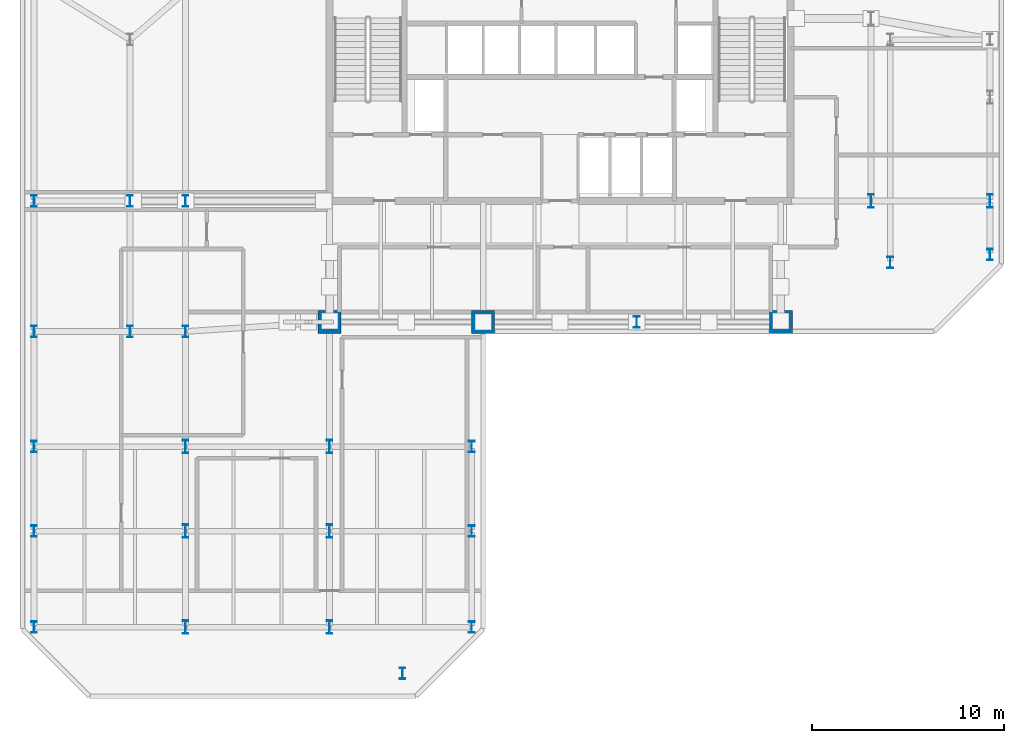
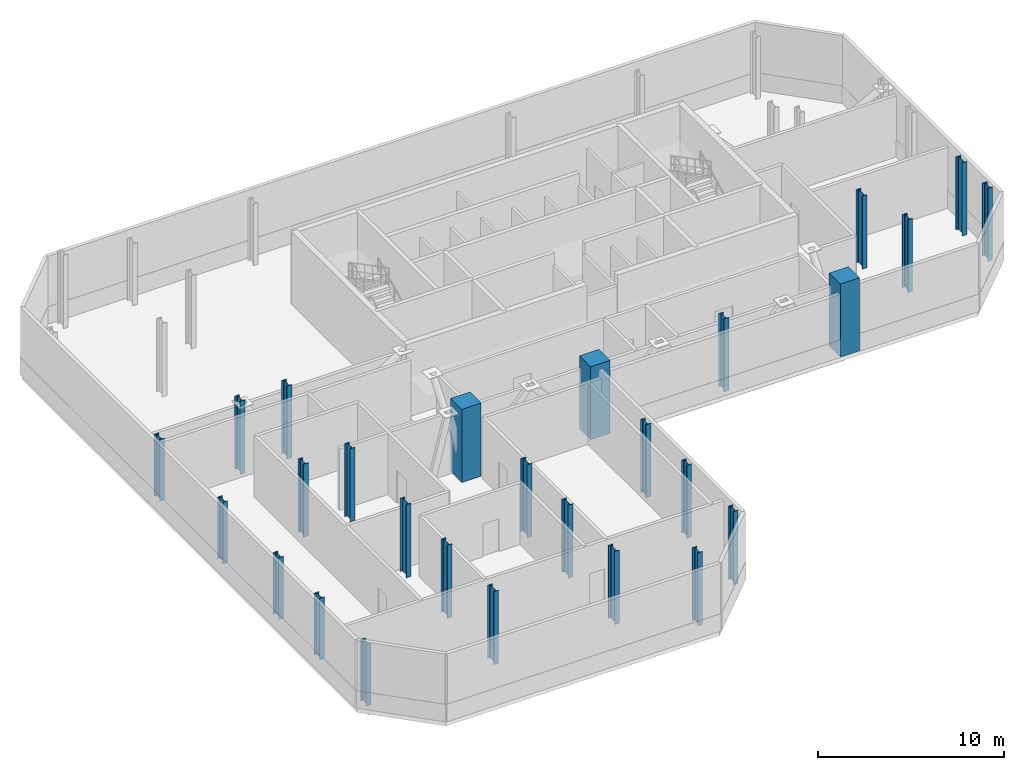
# One storey, part 1 of 9: 27 columns.
"""IFC4 building model written with IfcOpenShell, lengths in metres."""

from ifc_helpers import new_model, si_unit, direction, frame, origin, origin_2d, place, context, subcontext, project, spatial, rectangle, i_section, extrude, material, material_profile, profile_set, type_object, element, save


model = new_model("IFC4")

# Units and contexts
model_context = context("Model", 3, precision=1e-05, world=origin(), true_north=direction((0.0, 1.0)))
body_context = subcontext(model_context, "Body", "Model", "MODEL_VIEW")
ifc_project = project(units=[si_unit("LENGTHUNIT", "METRE"), si_unit("AREAUNIT", "SQUARE_METRE"), si_unit("VOLUMEUNIT", "CUBIC_METRE"), si_unit("PLANEANGLEUNIT", "RADIAN"), si_unit("MASSUNIT", "GRAM", prefix="KILO")], contexts=[model_context])

# Site, building, storey
site_placement = place(None, origin())
site = spatial("IfcSite", under=ifc_project, at=site_placement, CompositionType="ELEMENT")
building_placement = place(site_placement, origin())
building = spatial("IfcBuilding", under=site, at=building_placement, Name="Catumbela Crestline Tower", CompositionType="ELEMENT")
storey_placement = place(building_placement, frame((0.0, 0.0, 144.0)))
storey = spatial("IfcBuildingStorey", under=building, at=storey_placement, Name="L37", CompositionType="ELEMENT", Elevation=144.0)

# Columns
ifc_material_1 = material(Name="Concrete C50/60", Category="concrete")
ifc_material_profile_1 = material_profile(ifc_material_1, rectangle(XDim=1.2, YDim=1.2, at=origin_2d()), Name="RC 1200x1200")
ifc_profile_set_1 = profile_set([ifc_material_profile_1], Name="Concrete C50/60")
column_type_1 = type_object("IfcColumnType", Name="C-RC1200-C50", PredefinedType="COLUMN", material=ifc_profile_set_1)
for number, where, z_axis, x_axis, name in (
    (1, (16.0, 24.5, 0.0), (0.0, 0.0, 1.0), (1.0, 0.0, 0.0), "L37 Column C-16-24 (RC 1200x1200)"),
    (2, (24.0, 24.5, 0.0), (0.0, 0.0, 1.0), (1.0, 0.0, 0.0), "L37 Column C-24-24 (RC 1200x1200)"),
    (3, (39.5, 24.5, 0.0), (0.0, 0.0, 1.0), (1.0, 0.0, 0.0), "L37 Column C-40-24 (RC 1200x1200)"),
):
    element("IfcColumn", number, at=place(storey_placement, frame(where, z_axis=z_axis, x_axis=x_axis)), inside=storey, type_object=column_type_1, Name=name, PredefinedType="COLUMN", context=body_context, shape_type="SweptSolid", body=[
        extrude(rectangle(XDim=1.2, YDim=1.2, at=origin_2d()), origin(), (0.0, 0.0, 1.0), 4.8),
    ])
ifc_material_2 = material(Name="Structural steel S460M", Category="steel")
ifc_material_profile_2 = material_profile(ifc_material_2, i_section(OverallWidth=0.3, OverallDepth=0.6, WebThickness=0.0155, FlangeThickness=0.03, FilletRadius=0.027, at=origin_2d()), Name="HEB 600")
ifc_profile_set_2 = profile_set([ifc_material_profile_2], Name="Structural steel S460M")
column_type_2 = type_object("IfcColumnType", Name="C-ST-HEB600", PredefinedType="COLUMN", material=ifc_profile_set_2)
for number, where, z_axis, x_axis, name in (
    (4, (8.5, 24.0, 0.0), (0.0, 0.0, 1.0), (1.0, 0.0, 0.0), "L37 Column C-08-24 (HEB 600)"),
    (5, (32.0, 24.5, 0.0), (0.0, 0.0, 1.0), (1.0, 0.0, 0.0), "L37 Column C-32-24 (HEB 600)"),
    (6, (5.6, 24.0, 0.0), (0.0, 0.0, 1.0), (1.0, 0.0, 0.0), "L37 Column C-05-24 (HEB 600)"),
    (7, (5.6, 30.8, 0.0), (0.0, 0.0, 1.0), (1.0, 0.0, 0.0), "L37 Column C-05-31 (HEB 600)"),
    (8, (8.5, 30.8, 0.0), (0.0, 0.0, 1.0), (1.0, 0.0, 0.0), "L37 Column C-08-31 (HEB 600)"),
    (9, (45.2, 27.6, 0.0), (0.0, 0.0, 1.0), (1.0, 0.0, 0.0), "L37 Column C-46-24 (HEB 600)"),
):
    element("IfcColumn", number, at=place(storey_placement, frame(where, z_axis=z_axis, x_axis=x_axis)), inside=storey, type_object=column_type_2, Name=name, PredefinedType="COLUMN", context=body_context, shape_type="SweptSolid", body=[
        extrude(i_section(OverallWidth=0.3, OverallDepth=0.6, WebThickness=0.0155, FlangeThickness=0.03, FilletRadius=0.027, at=origin_2d()), origin(), (0.0, 0.0, 1.0), 4.8),
    ])
for number, where, z_axis, x_axis, name in (
    (10, (0.6, 24.0, 0.0), (0.0, 0.0, 1.0), (1.0, 0.0, 0.0), "L37 Column C-00-24 (HEB 600)"),
    (11, (0.6, 30.8, 0.0), (0.0, 0.0, 1.0), (1.0, 0.0, 0.0), "L37 Column C-00-31 (HEB 600)"),
):
    element("IfcColumn", number, at=place(storey_placement, frame(where, z_axis=z_axis, x_axis=x_axis)), inside=storey, type_object=column_type_2, Name=name, PredefinedType="COLUMN", context=body_context, shape_type="SweptSolid", body=[
        extrude(i_section(OverallWidth=0.3, OverallDepth=0.6, WebThickness=0.0155, FlangeThickness=0.03, FilletRadius=0.027, at=origin_2d()), origin(), (0.0, 0.0, 1.0), 4.05),
    ])
column_placement = place(storey_placement, frame((50.4, 28.0, 0.0), z_axis=(0.0, 0.0, 1.0), x_axis=(1.0, 0.0, 0.0)))
element("IfcColumn", 12, at=column_placement, inside=storey, type_object=column_type_2, Name="L37 Column C-51-24 (HEB 600)", PredefinedType="COLUMN", context=body_context, shape_type="SweptSolid", body=[
    extrude(i_section(OverallWidth=0.3, OverallDepth=0.6, WebThickness=0.0155, FlangeThickness=0.03, FilletRadius=0.027, at=origin_2d()), origin(), (0.0, 0.0, 1.0), 4.8),
])
for number, where, z_axis, x_axis, name in (
    (13, (0.6, 8.6, 0.0), (0.0, 0.0, 1.0), (1.0, 0.0, 0.0), "L37 Column C-00-05 (HEB 600)"),
    (14, (0.6, 13.6, 0.0), (0.0, 0.0, 1.0), (1.0, 0.0, 0.0), "L37 Column C-00-10 (HEB 600)"),
    (15, (0.6, 18.0, 0.0), (0.0, 0.0, 1.0), (1.0, 0.0, 0.0), "L37 Column C-00-16 (HEB 600)"),
):
    element("IfcColumn", number, at=place(storey_placement, frame(where, z_axis=z_axis, x_axis=x_axis)), inside=storey, type_object=column_type_2, Name=name, PredefinedType="COLUMN", context=body_context, shape_type="SweptSolid", body=[
        extrude(i_section(OverallWidth=0.3, OverallDepth=0.6, WebThickness=0.0155, FlangeThickness=0.03, FilletRadius=0.027, at=origin_2d()), origin(), (0.0, 0.0, 1.0), 4.05),
    ])
for number, where, z_axis, x_axis, name in (
    (16, (19.8, 6.2, 0.0), (0.0, 0.0, 1.0), (1.0, 0.0, 0.0), "L37 Column C-24-05 (HEB 600)"),
    (17, (23.4, 8.6, 0.0), (0.0, 0.0, 1.0), (1.0, 0.0, 0.0), "L37 Column C-23-08 (HEB 600)"),
    (18, (23.4, 13.6, 0.0), (0.0, 0.0, 1.0), (1.0, 0.0, 0.0), "L37 Column C-24-10 (HEB 600)"),
    (19, (23.4, 18.0, 0.0), (0.0, 0.0, 1.0), (1.0, 0.0, 0.0), "L37 Column C-24-16 (HEB 600)"),
):
    element("IfcColumn", number, at=place(storey_placement, frame(where, z_axis=z_axis, x_axis=x_axis)), inside=storey, type_object=column_type_2, Name=name, PredefinedType="COLUMN", context=body_context, shape_type="SweptSolid", body=[
        extrude(i_section(OverallWidth=0.3, OverallDepth=0.6, WebThickness=0.0155, FlangeThickness=0.03, FilletRadius=0.027, at=origin_2d()), origin(), (0.0, 0.0, 1.0), 4.8),
    ])
ifc_material_profile_3 = material_profile(ifc_material_2, i_section(OverallWidth=0.3, OverallDepth=0.7, WebThickness=0.017, FlangeThickness=0.032, FilletRadius=0.027, at=origin_2d()), Name="HEB 700")
ifc_profile_set_3 = profile_set([ifc_material_profile_3], Name="Structural steel S460M")
column_type_3 = type_object("IfcColumnType", Name="C-ST-HEB700", PredefinedType="COLUMN", material=ifc_profile_set_3)
for number, where, z_axis, x_axis, name in (
    (20, (8.5, 8.6, 0.0), (0.0, 0.0, 1.0), (1.0, 0.0, 0.0), "L37 Column CT-05-05 (HEB 700)"),
    (21, (16.0, 8.6, 0.0), (0.0, 0.0, 1.0), (1.0, 0.0, 0.0), "L37 Column CT-14-05 (HEB 700)"),
    (22, (8.5, 13.6, 0.0), (0.0, 0.0, 1.0), (1.0, 0.0, 0.0), "L37 Column CT-05-10 (HEB 700)"),
    (23, (16.0, 13.6, 0.0), (0.0, 0.0, 1.0), (1.0, 0.0, 0.0), "L37 Column CT-14-10 (HEB 700)"),
    (24, (8.5, 18.0, 0.0), (0.0, 0.0, 1.0), (1.0, 0.0, 0.0), "L37 Column CT-05-16 (HEB 700)"),
    (25, (16.0, 18.0, 0.0), (0.0, 0.0, 1.0), (1.0, 0.0, 0.0), "L37 Column CT-14-16 (HEB 700)"),
    (26, (44.2, 30.8, 0.0), (0.0, 0.0, 1.0), (1.0, 0.0, 0.0), "L37 Column CT-46-31 (HEB 700)"),
    (27, (50.4, 30.8, 0.0), (0.0, 0.0, 1.0), (1.0, 0.0, 0.0), "L37 Column CT-51-31 (HEB 700)"),
):
    element("IfcColumn", number, at=place(storey_placement, frame(where, z_axis=z_axis, x_axis=x_axis)), inside=storey, type_object=column_type_3, Name=name, PredefinedType="COLUMN", context=body_context, shape_type="SweptSolid", body=[
        extrude(i_section(OverallWidth=0.3, OverallDepth=0.7, WebThickness=0.017, FlangeThickness=0.032, FilletRadius=0.027, at=origin_2d()), origin(), (0.0, 0.0, 1.0), 4.8),
    ])

save(model, "model.ifc")
